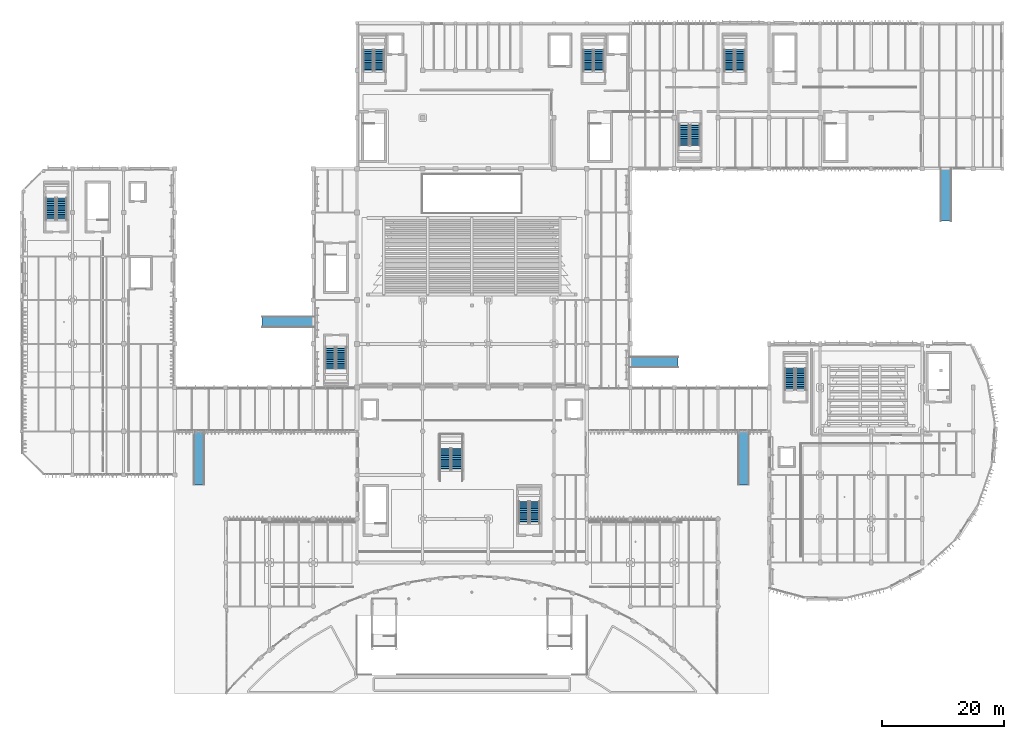
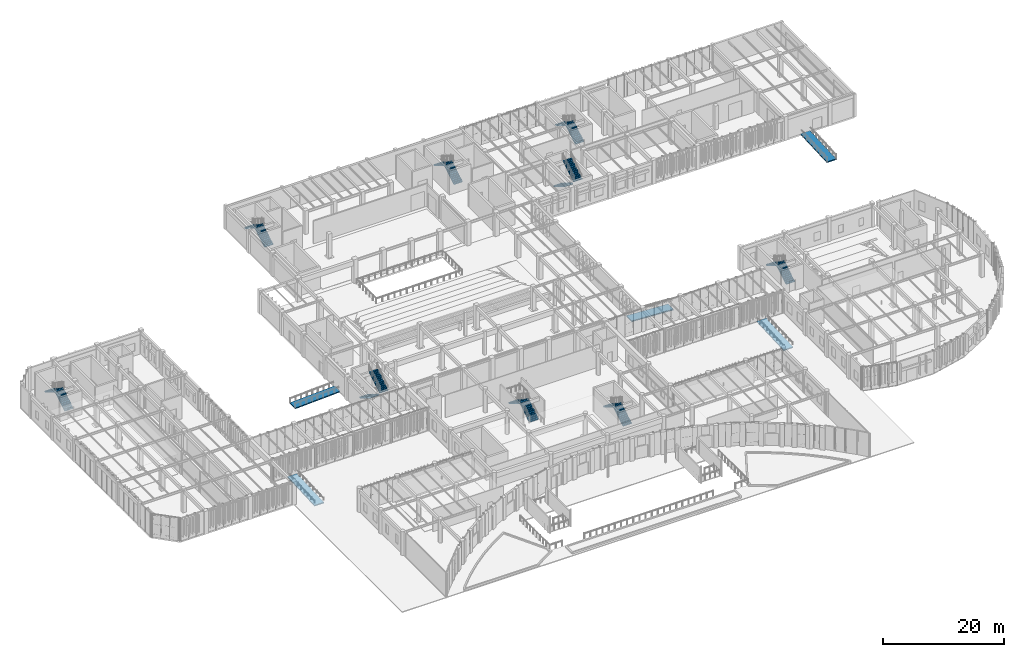
# One storey, part 42 of 122: 18 stair flights, 5 ramp flights, 14 elements without a shape of their own.
"""IFC4 building model written with IfcOpenShell, lengths in metres."""

from ifc_helpers import new_model, si_unit, direction, frame, origin, place, context, subcontext, project, spatial, polyline, outline, extrude, material, layer, layer_set, type_object, element, aggregate, save


model = new_model("IFC4")

# Units and contexts
model_context = context("Model", 3, precision=1e-05, world=origin(), true_north=direction((0.0, 1.0)))
body_context = subcontext(model_context, "Body", "Model", "MODEL_VIEW")
ifc_project = project(units=[si_unit("LENGTHUNIT", "METRE"), si_unit("AREAUNIT", "SQUARE_METRE"), si_unit("VOLUMEUNIT", "CUBIC_METRE"), si_unit("PLANEANGLEUNIT", "RADIAN"), si_unit("MASSUNIT", "GRAM", prefix="KILO")], contexts=[model_context])

# Site, building, storey
site_placement = place(None, origin())
site = spatial("IfcSite", under=ifc_project, at=site_placement, CompositionType="ELEMENT")
building_placement = place(site_placement, origin())
building = spatial("IfcBuilding", under=site, at=building_placement, Name="Tazoul Stagehouse", CompositionType="ELEMENT")
storey_placement = place(building_placement, origin())
storey = spatial("IfcBuildingStorey", under=building, at=storey_placement, Name="L00", CompositionType="ELEMENT", Elevation=0.0)

# Stair, stair flights
ifc_material_1 = material(Name="Concrete C40/50", Category="concrete")
stair_type_1 = type_object("IfcStairType", Name="Protected Core Dogleg Stair 4800", PredefinedType="HALF_TURN_STAIR", material=ifc_material_1)
stair_1_placement = place(storey_placement, origin())
stair_1 = element("IfcStair", 1, at=stair_1_placement, inside=storey, type_object=stair_type_1, Name="L00 Core Escape Stair ST-01", PredefinedType="HALF_TURN_STAIR")
stair_flight_type_1 = type_object("IfcStairFlightType", Name="Core Stair Flight W1650", PredefinedType="STRAIGHT", material=ifc_material_1)
stair_flight_1_placement = place(storey_placement, frame((97.425048828125, 103.800048828125, 0.0), z_axis=(0.0, 0.0, 1.0), x_axis=(0.0, 1.0, 0.0)))
stair_flight_1 = element("IfcStairFlight", 2, at=stair_flight_1_placement, type_object=stair_flight_type_1, Name="ST-01 flight 1", NumberOfRisers=13, NumberOfTreads=12, PredefinedType="STRAIGHT", RiserHeight=0.184615385, TreadLength=0.3, context=body_context, shape_type="SweptSolid", body=[
    extrude(outline(polyline([(0.0, 0.0), (0.0, 0.1845703125), (0.300048828125, 0.1845703125), (0.300048828125, 0.369140625), (0.60009765625, 0.369140625), (0.60009765625, 0.553955078125), (0.89990234375, 0.553955078125), (0.89990234375, 0.738525390625), (1.199951171875, 0.738525390625), (1.199951171875, 0.923095703125), (1.5, 0.923095703125), (1.5, 1.107666015625), (1.800048828125, 1.107666015625), (1.800048828125, 1.292236328125), (2.10009765625, 1.292236328125), (2.10009765625, 1.476806640625), (2.39990234375, 1.476806640625), (2.39990234375, 1.66162109375), (2.699951171875, 1.66162109375), (2.699951171875, 1.84619140625), (3.0, 1.84619140625), (3.0, 2.03076171875), (3.300048828125, 2.03076171875), (3.300048828125, 2.21533203125), (3.60009765625, 2.21533203125), (3.60009765625, 2.39990234375), (3.60009765625, 2.039306640625), (0.2861328125, 0.0), (0.0, 0.0)])), frame((0.0, 0.824951171875, 0.0), z_axis=(0.0, -1.0, 0.0), x_axis=(1.0, 0.0, 0.0)), (0.0, 0.0, 1.0), 1.64990234375),
])
stair_flight_2_placement = place(storey_placement, frame((95.625, 107.39990234375, 2.39990234375), z_axis=(0.0, 0.0, 1.0), x_axis=(0.0, -1.0, 0.0)))
stair_flight_2 = element("IfcStairFlight", 3, at=stair_flight_2_placement, type_object=stair_flight_type_1, Name="ST-01 flight 2", NumberOfRisers=13, NumberOfTreads=12, PredefinedType="STRAIGHT", RiserHeight=0.184615385, TreadLength=0.3, context=body_context, shape_type="SweptSolid", body=[
    extrude(outline(polyline([(0.0, 0.0), (0.0, 0.1845703125), (0.300048828125, 0.1845703125), (0.300048828125, 0.369140625), (0.60009765625, 0.369140625), (0.60009765625, 0.553955078125), (0.89990234375, 0.553955078125), (0.89990234375, 0.738525390625), (1.199951171875, 0.738525390625), (1.199951171875, 0.923095703125), (1.5, 0.923095703125), (1.5, 1.107666015625), (1.800048828125, 1.107666015625), (1.800048828125, 1.292236328125), (2.10009765625, 1.292236328125), (2.10009765625, 1.476806640625), (2.39990234375, 1.476806640625), (2.39990234375, 1.66162109375), (2.699951171875, 1.66162109375), (2.699951171875, 1.84619140625), (3.0, 1.84619140625), (3.0, 2.03076171875), (3.300048828125, 2.03076171875), (3.300048828125, 2.21533203125), (3.60009765625, 2.21533203125), (3.60009765625, 2.39990234375), (3.60009765625, 2.039306640625), (0.2861328125, 0.0), (0.0, 0.0)])), frame((0.0, 0.824951171875, 0.0), z_axis=(0.0, -1.0, 0.0), x_axis=(1.0, 0.0, 0.0)), (0.0, 0.0, 1.0), 1.64990234375),
])
aggregate(stair_1, [stair_flight_1, stair_flight_2])

stair_type_2 = type_object("IfcStairType", Name="Protected Core Dogleg Stair 4200", PredefinedType="HALF_TURN_STAIR", material=ifc_material_1)
stair_2_placement = place(storey_placement, origin())
stair_2 = element("IfcStair", 4, at=stair_2_placement, inside=storey, type_object=stair_type_2, Name="L00 Core Escape Stair ST-02", PredefinedType="HALF_TURN_STAIR")
stair_flight_3_placement = place(storey_placement, frame((120.625, 103.800048828125, 0.0), z_axis=(0.0, 0.0, 1.0), x_axis=(0.0, 1.0, 0.0)))
stair_flight_3 = element("IfcStairFlight", 5, at=stair_flight_3_placement, type_object=stair_flight_type_1, Name="ST-02 flight 1", NumberOfRisers=13, NumberOfTreads=12, PredefinedType="STRAIGHT", RiserHeight=0.184615385, TreadLength=0.3, context=body_context, shape_type="SweptSolid", body=[
    extrude(outline(polyline([(0.0, 0.0), (0.0, 0.1845703125), (0.300048828125, 0.1845703125), (0.300048828125, 0.369140625), (0.60009765625, 0.369140625), (0.60009765625, 0.553955078125), (0.89990234375, 0.553955078125), (0.89990234375, 0.738525390625), (1.199951171875, 0.738525390625), (1.199951171875, 0.923095703125), (1.5, 0.923095703125), (1.5, 1.107666015625), (1.800048828125, 1.107666015625), (1.800048828125, 1.292236328125), (2.10009765625, 1.292236328125), (2.10009765625, 1.476806640625), (2.39990234375, 1.476806640625), (2.39990234375, 1.66162109375), (2.699951171875, 1.66162109375), (2.699951171875, 1.84619140625), (3.0, 1.84619140625), (3.0, 2.03076171875), (3.300048828125, 2.03076171875), (3.300048828125, 2.21533203125), (3.60009765625, 2.21533203125), (3.60009765625, 2.39990234375), (3.60009765625, 2.039306640625), (0.2861328125, 0.0), (0.0, 0.0)])), frame((0.0, 0.824951171875, 0.0), z_axis=(0.0, -1.0, 0.0), x_axis=(1.0, 0.0, 0.0)), (0.0, 0.0, 1.0), 1.64990234375),
])
stair_flight_4_placement = place(storey_placement, frame((118.824951171875, 107.39990234375, 2.39990234375), z_axis=(0.0, 0.0, 1.0), x_axis=(0.0, -1.0, 0.0)))
stair_flight_4 = element("IfcStairFlight", 6, at=stair_flight_4_placement, type_object=stair_flight_type_1, Name="ST-02 flight 2", NumberOfRisers=13, NumberOfTreads=12, PredefinedType="STRAIGHT", RiserHeight=0.184615385, TreadLength=0.3, context=body_context, shape_type="SweptSolid", body=[
    extrude(outline(polyline([(0.0, 0.0), (0.0, 0.1845703125), (0.300048828125, 0.1845703125), (0.300048828125, 0.369140625), (0.60009765625, 0.369140625), (0.60009765625, 0.553955078125), (0.89990234375, 0.553955078125), (0.89990234375, 0.738525390625), (1.199951171875, 0.738525390625), (1.199951171875, 0.923095703125), (1.5, 0.923095703125), (1.5, 1.107666015625), (1.800048828125, 1.107666015625), (1.800048828125, 1.292236328125), (2.10009765625, 1.292236328125), (2.10009765625, 1.476806640625), (2.39990234375, 1.476806640625), (2.39990234375, 1.66162109375), (2.699951171875, 1.66162109375), (2.699951171875, 1.84619140625), (3.0, 1.84619140625), (3.0, 2.03076171875), (3.300048828125, 2.03076171875), (3.300048828125, 2.21533203125), (3.60009765625, 2.21533203125), (3.60009765625, 2.39990234375), (3.60009765625, 2.039306640625), (0.2861328125, 0.0), (0.0, 0.0)])), frame((0.0, 0.824951171875, 0.0), z_axis=(0.0, -1.0, 0.0), x_axis=(1.0, 0.0, 0.0)), (0.0, 0.0, 1.0), 1.64990234375),
])
aggregate(stair_2, [stair_flight_3, stair_flight_4])

stair_type_3 = type_object("IfcStairType", Name="Protected Core Dogleg Stair 3900", PredefinedType="HALF_TURN_STAIR", material=ifc_material_1)
stair_3_placement = place(storey_placement, origin())
stair_3 = element("IfcStair", 7, at=stair_3_placement, inside=storey, type_object=stair_type_3, Name="L00 Core Escape Stair ST-03", PredefinedType="HALF_TURN_STAIR")
stair_flight_5_placement = place(storey_placement, frame((61.27490234375, 103.800048828125, 0.0), z_axis=(0.0, 0.0, 1.0), x_axis=(0.0, 1.0, 0.0)))
stair_flight_5 = element("IfcStairFlight", 8, at=stair_flight_5_placement, type_object=stair_flight_type_1, Name="ST-03 flight 1", NumberOfRisers=13, NumberOfTreads=12, PredefinedType="STRAIGHT", RiserHeight=0.184615385, TreadLength=0.3, context=body_context, shape_type="SweptSolid", body=[
    extrude(outline(polyline([(0.0, 0.0), (0.0, 0.1845703125), (0.300048828125, 0.1845703125), (0.300048828125, 0.369140625), (0.60009765625, 0.369140625), (0.60009765625, 0.553955078125), (0.89990234375, 0.553955078125), (0.89990234375, 0.738525390625), (1.199951171875, 0.738525390625), (1.199951171875, 0.923095703125), (1.5, 0.923095703125), (1.5, 1.107666015625), (1.800048828125, 1.107666015625), (1.800048828125, 1.292236328125), (2.10009765625, 1.292236328125), (2.10009765625, 1.476806640625), (2.39990234375, 1.476806640625), (2.39990234375, 1.66162109375), (2.699951171875, 1.66162109375), (2.699951171875, 1.84619140625), (3.0, 1.84619140625), (3.0, 2.03076171875), (3.300048828125, 2.03076171875), (3.300048828125, 2.21533203125), (3.60009765625, 2.21533203125), (3.60009765625, 2.39990234375), (3.60009765625, 2.039306640625), (0.2861328125, 0.0), (0.0, 0.0)])), frame((0.0, 0.824951171875, 0.0), z_axis=(0.0, -1.0, 0.0), x_axis=(1.0, 0.0, 0.0)), (0.0, 0.0, 1.0), 1.64990234375),
])
stair_flight_6_placement = place(storey_placement, frame((59.47509765625, 107.39990234375, 2.39990234375), z_axis=(0.0, 0.0, 1.0), x_axis=(0.0, -1.0, 0.0)))
stair_flight_6 = element("IfcStairFlight", 9, at=stair_flight_6_placement, type_object=stair_flight_type_1, Name="ST-03 flight 2", NumberOfRisers=13, NumberOfTreads=12, PredefinedType="STRAIGHT", RiserHeight=0.184615385, TreadLength=0.3, context=body_context, shape_type="SweptSolid", body=[
    extrude(outline(polyline([(0.0, 0.0), (0.0, 0.1845703125), (0.300048828125, 0.1845703125), (0.300048828125, 0.369140625), (0.60009765625, 0.369140625), (0.60009765625, 0.553955078125), (0.89990234375, 0.553955078125), (0.89990234375, 0.738525390625), (1.199951171875, 0.738525390625), (1.199951171875, 0.923095703125), (1.5, 0.923095703125), (1.5, 1.107666015625), (1.800048828125, 1.107666015625), (1.800048828125, 1.292236328125), (2.10009765625, 1.292236328125), (2.10009765625, 1.476806640625), (2.39990234375, 1.476806640625), (2.39990234375, 1.66162109375), (2.699951171875, 1.66162109375), (2.699951171875, 1.84619140625), (3.0, 1.84619140625), (3.0, 2.03076171875), (3.300048828125, 2.03076171875), (3.300048828125, 2.21533203125), (3.60009765625, 2.21533203125), (3.60009765625, 2.39990234375), (3.60009765625, 2.039306640625), (0.2861328125, 0.0), (0.0, 0.0)])), frame((0.0, 0.824951171875, 0.0), z_axis=(0.0, -1.0, 0.0), x_axis=(1.0, 0.0, 0.0)), (0.0, 0.0, 1.0), 1.64990234375),
])
aggregate(stair_3, [stair_flight_5, stair_flight_6])

stair_4_placement = place(storey_placement, origin())
stair_4 = element("IfcStair", 10, at=stair_4_placement, inside=storey, type_object=stair_type_1, Name="L00 Core Escape Stair ST-04", PredefinedType="HALF_TURN_STAIR")
stair_flight_7_placement = place(storey_placement, frame((111.425048828125, 95.199951171875, 0.0), z_axis=(0.0, 0.0, 1.0), x_axis=(0.0, -1.0, 0.0)))
stair_flight_7 = element("IfcStairFlight", 11, at=stair_flight_7_placement, type_object=stair_flight_type_1, Name="ST-04 flight 1", NumberOfRisers=13, NumberOfTreads=12, PredefinedType="STRAIGHT", RiserHeight=0.184615385, TreadLength=0.3, context=body_context, shape_type="SweptSolid", body=[
    extrude(outline(polyline([(0.0, 0.0), (0.0, 0.1845703125), (0.300048828125, 0.1845703125), (0.300048828125, 0.369140625), (0.60009765625, 0.369140625), (0.60009765625, 0.553955078125), (0.89990234375, 0.553955078125), (0.89990234375, 0.738525390625), (1.199951171875, 0.738525390625), (1.199951171875, 0.923095703125), (1.5, 0.923095703125), (1.5, 1.107666015625), (1.800048828125, 1.107666015625), (1.800048828125, 1.292236328125), (2.10009765625, 1.292236328125), (2.10009765625, 1.476806640625), (2.39990234375, 1.476806640625), (2.39990234375, 1.66162109375), (2.699951171875, 1.66162109375), (2.699951171875, 1.84619140625), (3.0, 1.84619140625), (3.0, 2.03076171875), (3.300048828125, 2.03076171875), (3.300048828125, 2.21533203125), (3.60009765625, 2.21533203125), (3.60009765625, 2.39990234375), (3.60009765625, 2.039306640625), (0.2861328125, 0.0), (0.0, 0.0)])), frame((0.0, 0.824951171875, 0.0), z_axis=(0.0, -1.0, 0.0), x_axis=(1.0, 0.0, 0.0)), (0.0, 0.0, 1.0), 1.64990234375),
])
stair_flight_8_placement = place(storey_placement, frame((113.22509765625, 91.60009765625, 2.39990234375), z_axis=(0.0, 0.0, 1.0), x_axis=(0.0, 1.0, 0.0)))
stair_flight_8 = element("IfcStairFlight", 12, at=stair_flight_8_placement, type_object=stair_flight_type_1, Name="ST-04 flight 2", NumberOfRisers=13, NumberOfTreads=12, PredefinedType="STRAIGHT", RiserHeight=0.184615385, TreadLength=0.3, context=body_context, shape_type="SweptSolid", body=[
    extrude(outline(polyline([(0.0, 0.0), (0.0, 0.1845703125), (0.300048828125, 0.1845703125), (0.300048828125, 0.369140625), (0.60009765625, 0.369140625), (0.60009765625, 0.553955078125), (0.89990234375, 0.553955078125), (0.89990234375, 0.738525390625), (1.199951171875, 0.738525390625), (1.199951171875, 0.923095703125), (1.5, 0.923095703125), (1.5, 1.107666015625), (1.800048828125, 1.107666015625), (1.800048828125, 1.292236328125), (2.10009765625, 1.292236328125), (2.10009765625, 1.476806640625), (2.39990234375, 1.476806640625), (2.39990234375, 1.66162109375), (2.699951171875, 1.66162109375), (2.699951171875, 1.84619140625), (3.0, 1.84619140625), (3.0, 2.03076171875), (3.300048828125, 2.03076171875), (3.300048828125, 2.21533203125), (3.60009765625, 2.21533203125), (3.60009765625, 2.39990234375), (3.60009765625, 2.039306640625), (0.2861328125, 0.0), (0.0, 0.0)])), frame((0.0, 0.824951171875, 0.0), z_axis=(0.0, -1.0, 0.0), x_axis=(1.0, 0.0, 0.0)), (0.0, 0.0, 1.0), 1.64990234375),
])
aggregate(stair_4, [stair_flight_7, stair_flight_8])

stair_5_placement = place(storey_placement, origin())
stair_5 = element("IfcStair", 13, at=stair_5_placement, inside=storey, type_object=stair_type_2, Name="L00 Core Escape Stair ST-05", PredefinedType="HALF_TURN_STAIR")
stair_flight_9_placement = place(storey_placement, frame((53.22509765625, 58.489990234375, 0.0), z_axis=(0.0, 0.0, 1.0), x_axis=(0.0, -1.0, 0.0)))
stair_flight_9 = element("IfcStairFlight", 14, at=stair_flight_9_placement, type_object=stair_flight_type_1, Name="ST-05 flight 1", NumberOfRisers=13, NumberOfTreads=12, PredefinedType="STRAIGHT", RiserHeight=0.184615385, TreadLength=0.3, context=body_context, shape_type="SweptSolid", body=[
    extrude(outline(polyline([(0.0, 0.0), (0.0, 0.1845703125), (0.300048828125, 0.1845703125), (0.300048828125, 0.369140625), (0.60009765625, 0.369140625), (0.60009765625, 0.553955078125), (0.89990234375, 0.553955078125), (0.89990234375, 0.738525390625), (1.199951171875, 0.738525390625), (1.199951171875, 0.923095703125), (1.5, 0.923095703125), (1.5, 1.107666015625), (1.800048828125, 1.107666015625), (1.800048828125, 1.292236328125), (2.10009765625, 1.292236328125), (2.10009765625, 1.476806640625), (2.39990234375, 1.476806640625), (2.39990234375, 1.66162109375), (2.699951171875, 1.66162109375), (2.699951171875, 1.84619140625), (3.0, 1.84619140625), (3.0, 2.03076171875), (3.300048828125, 2.03076171875), (3.300048828125, 2.21533203125), (3.60009765625, 2.21533203125), (3.60009765625, 2.39990234375), (3.60009765625, 2.039306640625), (0.2861328125, 0.0), (0.0, 0.0)])), frame((0.0, 0.824951171875, 0.0), z_axis=(0.0, -1.0, 0.0), x_axis=(1.0, 0.0, 0.0)), (0.0, 0.0, 1.0), 1.64990234375),
])
stair_flight_10_placement = place(storey_placement, frame((55.02490234375, 54.889892578125, 2.39990234375), z_axis=(0.0, 0.0, 1.0), x_axis=(0.0, 1.0, 0.0)))
stair_flight_10 = element("IfcStairFlight", 15, at=stair_flight_10_placement, type_object=stair_flight_type_1, Name="ST-05 flight 2", NumberOfRisers=13, NumberOfTreads=12, PredefinedType="STRAIGHT", RiserHeight=0.184615385, TreadLength=0.3, context=body_context, shape_type="SweptSolid", body=[
    extrude(outline(polyline([(0.0, 0.0), (0.0, 0.1845703125), (0.300048828125, 0.1845703125), (0.300048828125, 0.369140625), (0.60009765625, 0.369140625), (0.60009765625, 0.553955078125), (0.89990234375, 0.553955078125), (0.89990234375, 0.738525390625), (1.199951171875, 0.738525390625), (1.199951171875, 0.923095703125), (1.5, 0.923095703125), (1.5, 1.107666015625), (1.800048828125, 1.107666015625), (1.800048828125, 1.292236328125), (2.10009765625, 1.292236328125), (2.10009765625, 1.476806640625), (2.39990234375, 1.476806640625), (2.39990234375, 1.66162109375), (2.699951171875, 1.66162109375), (2.699951171875, 1.84619140625), (3.0, 1.84619140625), (3.0, 2.03076171875), (3.300048828125, 2.03076171875), (3.300048828125, 2.21533203125), (3.60009765625, 2.21533203125), (3.60009765625, 2.39990234375), (3.60009765625, 2.039306640625), (0.2861328125, 0.0), (0.0, 0.0)])), frame((0.0, 0.824951171875, 0.0), z_axis=(0.0, -1.0, 0.0), x_axis=(1.0, 0.0, 0.0)), (0.0, 0.0, 1.0), 1.64990234375),
])
aggregate(stair_5, [stair_flight_9, stair_flight_10])

stair_6_placement = place(storey_placement, origin())
stair_6 = element("IfcStair", 16, at=stair_6_placement, inside=storey, type_object=stair_type_3, Name="L00 Core Escape Stair ST-06", PredefinedType="HALF_TURN_STAIR")
stair_flight_11_placement = place(storey_placement, frame((9.02490234375, 79.39990234375, 0.0), z_axis=(0.0, 0.0, 1.0), x_axis=(0.0, 1.0, 0.0)))
stair_flight_11 = element("IfcStairFlight", 17, at=stair_flight_11_placement, type_object=stair_flight_type_1, Name="ST-06 flight 1", NumberOfRisers=13, NumberOfTreads=12, PredefinedType="STRAIGHT", RiserHeight=0.184615385, TreadLength=0.3, context=body_context, shape_type="SweptSolid", body=[
    extrude(outline(polyline([(0.0, 0.0), (0.0, 0.1845703125), (0.300048828125, 0.1845703125), (0.300048828125, 0.369140625), (0.60009765625, 0.369140625), (0.60009765625, 0.553955078125), (0.89990234375, 0.553955078125), (0.89990234375, 0.738525390625), (1.199951171875, 0.738525390625), (1.199951171875, 0.923095703125), (1.5, 0.923095703125), (1.5, 1.107666015625), (1.800048828125, 1.107666015625), (1.800048828125, 1.292236328125), (2.10009765625, 1.292236328125), (2.10009765625, 1.476806640625), (2.39990234375, 1.476806640625), (2.39990234375, 1.66162109375), (2.699951171875, 1.66162109375), (2.699951171875, 1.84619140625), (3.0, 1.84619140625), (3.0, 2.03076171875), (3.300048828125, 2.03076171875), (3.300048828125, 2.21533203125), (3.60009765625, 2.21533203125), (3.60009765625, 2.39990234375), (3.60009765625, 2.039306640625), (0.2861328125, 0.0), (0.0, 0.0)])), frame((0.0, 0.824951171875, 0.0), z_axis=(0.0, -1.0, 0.0), x_axis=(1.0, 0.0, 0.0)), (0.0, 0.0, 1.0), 1.64990234375),
])
stair_flight_12_placement = place(storey_placement, frame((7.22509765625, 83.0, 2.39990234375), z_axis=(0.0, 0.0, 1.0), x_axis=(0.0, -1.0, 0.0)))
stair_flight_12 = element("IfcStairFlight", 18, at=stair_flight_12_placement, type_object=stair_flight_type_1, Name="ST-06 flight 2", NumberOfRisers=13, NumberOfTreads=12, PredefinedType="STRAIGHT", RiserHeight=0.184615385, TreadLength=0.3, context=body_context, shape_type="SweptSolid", body=[
    extrude(outline(polyline([(0.0, 0.0), (0.0, 0.1845703125), (0.300048828125, 0.1845703125), (0.300048828125, 0.369140625), (0.60009765625, 0.369140625), (0.60009765625, 0.553955078125), (0.89990234375, 0.553955078125), (0.89990234375, 0.738525390625), (1.199951171875, 0.738525390625), (1.199951171875, 0.923095703125), (1.5, 0.923095703125), (1.5, 1.107666015625), (1.800048828125, 1.107666015625), (1.800048828125, 1.292236328125), (2.10009765625, 1.292236328125), (2.10009765625, 1.476806640625), (2.39990234375, 1.476806640625), (2.39990234375, 1.66162109375), (2.699951171875, 1.66162109375), (2.699951171875, 1.84619140625), (3.0, 1.84619140625), (3.0, 2.03076171875), (3.300048828125, 2.03076171875), (3.300048828125, 2.21533203125), (3.60009765625, 2.21533203125), (3.60009765625, 2.39990234375), (3.60009765625, 2.039306640625), (0.2861328125, 0.0), (0.0, 0.0)])), frame((0.0, 0.824951171875, 0.0), z_axis=(0.0, -1.0, 0.0), x_axis=(1.0, 0.0, 0.0)), (0.0, 0.0, 1.0), 1.64990234375),
])
aggregate(stair_6, [stair_flight_11, stair_flight_12])

stair_7_placement = place(storey_placement, origin())
stair_7 = element("IfcStair", 19, at=stair_7_placement, inside=storey, type_object=stair_type_1, Name="L00 Core Escape Stair ST-07", PredefinedType="HALF_TURN_STAIR")
stair_flight_13_placement = place(storey_placement, frame((130.625, 51.39990234375, 0.0), z_axis=(0.0, 0.0, 1.0), x_axis=(0.0, 1.0, 0.0)))
stair_flight_13 = element("IfcStairFlight", 20, at=stair_flight_13_placement, type_object=stair_flight_type_1, Name="ST-07 flight 1", NumberOfRisers=13, NumberOfTreads=12, PredefinedType="STRAIGHT", RiserHeight=0.184615385, TreadLength=0.3, context=body_context, shape_type="SweptSolid", body=[
    extrude(outline(polyline([(0.0, 0.0), (0.0, 0.1845703125), (0.300048828125, 0.1845703125), (0.300048828125, 0.369140625), (0.60009765625, 0.369140625), (0.60009765625, 0.553955078125), (0.89990234375, 0.553955078125), (0.89990234375, 0.738525390625), (1.199951171875, 0.738525390625), (1.199951171875, 0.923095703125), (1.5, 0.923095703125), (1.5, 1.107666015625), (1.800048828125, 1.107666015625), (1.800048828125, 1.292236328125), (2.10009765625, 1.292236328125), (2.10009765625, 1.476806640625), (2.39990234375, 1.476806640625), (2.39990234375, 1.66162109375), (2.699951171875, 1.66162109375), (2.699951171875, 1.84619140625), (3.0, 1.84619140625), (3.0, 2.03076171875), (3.300048828125, 2.03076171875), (3.300048828125, 2.21533203125), (3.60009765625, 2.21533203125), (3.60009765625, 2.39990234375), (3.60009765625, 2.039306640625), (0.2861328125, 0.0), (0.0, 0.0)])), frame((0.0, 0.824951171875, 0.0), z_axis=(0.0, -1.0, 0.0), x_axis=(1.0, 0.0, 0.0)), (0.0, 0.0, 1.0), 1.64990234375),
])
stair_flight_14_placement = place(storey_placement, frame((128.824951171875, 55.0, 2.39990234375), z_axis=(0.0, 0.0, 1.0), x_axis=(0.0, -1.0, 0.0)))
stair_flight_14 = element("IfcStairFlight", 21, at=stair_flight_14_placement, type_object=stair_flight_type_1, Name="ST-07 flight 2", NumberOfRisers=13, NumberOfTreads=12, PredefinedType="STRAIGHT", RiserHeight=0.184615385, TreadLength=0.3, context=body_context, shape_type="SweptSolid", body=[
    extrude(outline(polyline([(0.0, 0.0), (0.0, 0.1845703125), (0.300048828125, 0.1845703125), (0.300048828125, 0.369140625), (0.60009765625, 0.369140625), (0.60009765625, 0.553955078125), (0.89990234375, 0.553955078125), (0.89990234375, 0.738525390625), (1.199951171875, 0.738525390625), (1.199951171875, 0.923095703125), (1.5, 0.923095703125), (1.5, 1.107666015625), (1.800048828125, 1.107666015625), (1.800048828125, 1.292236328125), (2.10009765625, 1.292236328125), (2.10009765625, 1.476806640625), (2.39990234375, 1.476806640625), (2.39990234375, 1.66162109375), (2.699951171875, 1.66162109375), (2.699951171875, 1.84619140625), (3.0, 1.84619140625), (3.0, 2.03076171875), (3.300048828125, 2.03076171875), (3.300048828125, 2.21533203125), (3.60009765625, 2.21533203125), (3.60009765625, 2.39990234375), (3.60009765625, 2.039306640625), (0.2861328125, 0.0), (0.0, 0.0)])), frame((0.0, 0.824951171875, 0.0), z_axis=(0.0, -1.0, 0.0), x_axis=(1.0, 0.0, 0.0)), (0.0, 0.0, 1.0), 1.64990234375),
])
aggregate(stair_7, [stair_flight_13, stair_flight_14])

stair_8_placement = place(storey_placement, origin())
stair_8 = element("IfcStair", 22, at=stair_8_placement, inside=storey, type_object=stair_type_2, Name="L00 Core Escape Stair ST-08", PredefinedType="HALF_TURN_STAIR")
stair_flight_15_placement = place(storey_placement, frame((86.824951171875, 29.47998046875, 0.0), z_axis=(0.0, 0.0, 1.0), x_axis=(0.0, 1.0, 0.0)))
stair_flight_15 = element("IfcStairFlight", 23, at=stair_flight_15_placement, type_object=stair_flight_type_1, Name="ST-08 flight 1", NumberOfRisers=13, NumberOfTreads=12, PredefinedType="STRAIGHT", RiserHeight=0.184615385, TreadLength=0.3, context=body_context, shape_type="SweptSolid", body=[
    extrude(outline(polyline([(0.0, 0.0), (0.0, 0.1845703125), (0.300048828125, 0.1845703125), (0.300048828125, 0.369140625), (0.60009765625, 0.369140625), (0.60009765625, 0.553955078125), (0.89990234375, 0.553955078125), (0.89990234375, 0.738525390625), (1.199951171875, 0.738525390625), (1.199951171875, 0.923095703125), (1.5, 0.923095703125), (1.5, 1.107666015625), (1.800048828125, 1.107666015625), (1.800048828125, 1.292236328125), (2.10009765625, 1.292236328125), (2.10009765625, 1.476806640625), (2.39990234375, 1.476806640625), (2.39990234375, 1.66162109375), (2.699951171875, 1.66162109375), (2.699951171875, 1.84619140625), (3.0, 1.84619140625), (3.0, 2.03076171875), (3.300048828125, 2.03076171875), (3.300048828125, 2.21533203125), (3.60009765625, 2.21533203125), (3.60009765625, 2.39990234375), (3.60009765625, 2.039306640625), (0.2861328125, 0.0), (0.0, 0.0)])), frame((0.0, 0.824951171875, 0.0), z_axis=(0.0, -1.0, 0.0), x_axis=(1.0, 0.0, 0.0)), (0.0, 0.0, 1.0), 1.64990234375),
])
stair_flight_16_placement = place(storey_placement, frame((85.02490234375, 33.080078125, 2.39990234375), z_axis=(0.0, 0.0, 1.0), x_axis=(0.0, -1.0, 0.0)))
stair_flight_16 = element("IfcStairFlight", 24, at=stair_flight_16_placement, type_object=stair_flight_type_1, Name="ST-08 flight 2", NumberOfRisers=13, NumberOfTreads=12, PredefinedType="STRAIGHT", RiserHeight=0.184615385, TreadLength=0.3, context=body_context, shape_type="SweptSolid", body=[
    extrude(outline(polyline([(0.0, 0.0), (0.0, 0.1845703125), (0.300048828125, 0.1845703125), (0.300048828125, 0.369140625), (0.60009765625, 0.369140625), (0.60009765625, 0.553955078125), (0.89990234375, 0.553955078125), (0.89990234375, 0.738525390625), (1.199951171875, 0.738525390625), (1.199951171875, 0.923095703125), (1.5, 0.923095703125), (1.5, 1.107666015625), (1.800048828125, 1.107666015625), (1.800048828125, 1.292236328125), (2.10009765625, 1.292236328125), (2.10009765625, 1.476806640625), (2.39990234375, 1.476806640625), (2.39990234375, 1.66162109375), (2.699951171875, 1.66162109375), (2.699951171875, 1.84619140625), (3.0, 1.84619140625), (3.0, 2.03076171875), (3.300048828125, 2.03076171875), (3.300048828125, 2.21533203125), (3.60009765625, 2.21533203125), (3.60009765625, 2.39990234375), (3.60009765625, 2.039306640625), (0.2861328125, 0.0), (0.0, 0.0)])), frame((0.0, 0.824951171875, 0.0), z_axis=(0.0, -1.0, 0.0), x_axis=(1.0, 0.0, 0.0)), (0.0, 0.0, 1.0), 1.64990234375),
])
aggregate(stair_8, [stair_flight_15, stair_flight_16])

stair_type_4 = type_object("IfcStairType", Name="Grand Foyer Ceremonial Straight Stair", PredefinedType="HALF_TURN_STAIR", material=ifc_material_1)
stair_9_placement = place(storey_placement, origin())
stair_9 = element("IfcStair", 25, at=stair_9_placement, inside=storey, type_object=stair_type_4, Name="L00 Civic Feature Stair ST-ATR-01", PredefinedType="HALF_TURN_STAIR")
stair_flight_type_2 = type_object("IfcStairFlightType", Name="Grand Foyer Stair Flight W1800", PredefinedType="STRAIGHT", material=ifc_material_1)
stair_flight_17_placement = place(storey_placement, frame((74.050048828125, 38.199951171875, 0.0), z_axis=(0.0, 0.0, 1.0), x_axis=(0.0, 1.0, 0.0)))
stair_flight_17 = element("IfcStairFlight", 26, at=stair_flight_17_placement, type_object=stair_flight_type_2, Name="ST-ATR-01 flight 1", NumberOfRisers=13, NumberOfTreads=12, PredefinedType="STRAIGHT", RiserHeight=0.184615385, TreadLength=0.3, context=body_context, shape_type="SweptSolid", body=[
    extrude(outline(polyline([(0.0, 0.0), (0.0, 0.1845703125), (0.300048828125, 0.1845703125), (0.300048828125, 0.369140625), (0.60009765625, 0.369140625), (0.60009765625, 0.553955078125), (0.89990234375, 0.553955078125), (0.89990234375, 0.738525390625), (1.199951171875, 0.738525390625), (1.199951171875, 0.923095703125), (1.5, 0.923095703125), (1.5, 1.107666015625), (1.800048828125, 1.107666015625), (1.800048828125, 1.292236328125), (2.10009765625, 1.292236328125), (2.10009765625, 1.476806640625), (2.39990234375, 1.476806640625), (2.39990234375, 1.66162109375), (2.699951171875, 1.66162109375), (2.699951171875, 1.84619140625), (3.0, 1.84619140625), (3.0, 2.03076171875), (3.300048828125, 2.03076171875), (3.300048828125, 2.21533203125), (3.60009765625, 2.21533203125), (3.60009765625, 2.39990234375), (3.60009765625, 2.039306640625), (0.2861328125, 0.0), (0.0, 0.0)])), frame((0.0, 0.89990234375, 0.0), z_axis=(0.0, -1.0, 0.0), x_axis=(1.0, 0.0, 0.0)), (0.0, 0.0, 1.0), 1.800048828125),
])
stair_flight_18_placement = place(storey_placement, frame((72.10009765625, 41.800048828125, 2.39990234375), z_axis=(0.0, 0.0, 1.0), x_axis=(0.0, -1.0, 0.0)))
stair_flight_18 = element("IfcStairFlight", 27, at=stair_flight_18_placement, type_object=stair_flight_type_2, Name="ST-ATR-01 flight 2", NumberOfRisers=13, NumberOfTreads=12, PredefinedType="STRAIGHT", RiserHeight=0.184615385, TreadLength=0.3, context=body_context, shape_type="SweptSolid", body=[
    extrude(outline(polyline([(0.0, 0.0), (0.0, 0.1845703125), (0.300048828125, 0.1845703125), (0.300048828125, 0.369140625), (0.60009765625, 0.369140625), (0.60009765625, 0.553955078125), (0.89990234375, 0.553955078125), (0.89990234375, 0.738525390625), (1.199951171875, 0.738525390625), (1.199951171875, 0.923095703125), (1.5, 0.923095703125), (1.5, 1.107666015625), (1.800048828125, 1.107666015625), (1.800048828125, 1.292236328125), (2.10009765625, 1.292236328125), (2.10009765625, 1.476806640625), (2.39990234375, 1.476806640625), (2.39990234375, 1.66162109375), (2.699951171875, 1.66162109375), (2.699951171875, 1.84619140625), (3.0, 1.84619140625), (3.0, 2.03076171875), (3.300048828125, 2.03076171875), (3.300048828125, 2.21533203125), (3.60009765625, 2.21533203125), (3.60009765625, 2.39990234375), (3.60009765625, 2.039306640625), (0.2861328125, 0.0), (0.0, 0.0)])), frame((0.0, 0.89990234375, 0.0), z_axis=(0.0, -1.0, 0.0), x_axis=(1.0, 0.0, 0.0)), (0.0, 0.0, 1.0), 1.800048828125),
])
aggregate(stair_9, [stair_flight_17, stair_flight_18])

# Ramp, ramp flight
ifc_material_2 = material(Name="Concrete C35/45", Category="concrete")
ramp_type = type_object("IfcRampType", Name="Step-Free Accessible Ramp 1:12", PredefinedType="STRAIGHT_RUN_RAMP", material=ifc_material_2)
ramp_1_placement = place(storey_placement, origin())
ramp_1 = element("IfcRamp", 28, at=ramp_1_placement, inside=storey, type_object=ramp_type, Name="West Plaza Accessible Entrance Ramp", PredefinedType="STRAIGHT_RUN_RAMP")
ifc_layer = layer(ifc_material_2, 0.199951171875, Name="Concrete C35/45")
ifc_layer_set = layer_set([ifc_layer], Name="Concrete C35/45")
ramp_flight_type = type_object("IfcRampFlightType", Name="Accessible Ramp Flight W1800", PredefinedType="STRAIGHT", material=ifc_layer_set)
ramp_flight_1_placement = place(storey_placement, frame((32.5, 35.800048828125, -0.419921875), z_axis=(0.0, -0.046867343091, 0.99890112231), x_axis=(-1.0, 0.0, 0.0)))
ramp_flight_1 = element("IfcRampFlight", 29, at=ramp_flight_1_placement, type_object=ramp_flight_type, Name="West Plaza Accessible Entrance Ramp Flight", PredefinedType="STRAIGHT", context=body_context, shape_type="SweptSolid", body=[
    extrude(outline(polyline([(0.0, 0.0), (1.800048828125, 0.0), (1.800048828125, -8.959796892790047), (0.0, -8.959796892790047), (0.0, 0.0)])), origin(), (0.0, 0.0, -1.0), 0.199951171875),
])
aggregate(ramp_1, [ramp_flight_1])

ramp_2_placement = place(storey_placement, origin())
ramp_2 = element("IfcRamp", 30, at=ramp_2_placement, inside=storey, type_object=ramp_type, Name="East Plaza Accessible Entrance Ramp", PredefinedType="STRAIGHT_RUN_RAMP")
ramp_flight_2_placement = place(storey_placement, frame((122.10009765625, 35.800048828125, -0.419921875), z_axis=(0.0, -0.046867343091, 0.99890112231), x_axis=(-1.0, 0.0, 0.0)))
ramp_flight_2 = element("IfcRampFlight", 31, at=ramp_flight_2_placement, type_object=ramp_flight_type, Name="East Plaza Accessible Entrance Ramp Flight", PredefinedType="STRAIGHT", context=body_context, shape_type="SweptSolid", body=[
    extrude(outline(polyline([(0.0, 0.0), (1.800048828125, 0.0), (1.800048828125, -8.959796892790047), (0.0, -8.959796892790047), (0.0, 0.0)])), origin(), (0.0, 0.0, -1.0), 0.199951171875),
])
aggregate(ramp_2, [ramp_flight_2])

ramp_3_placement = place(storey_placement, origin())
ramp_3 = element("IfcRamp", 32, at=ramp_3_placement, inside=storey, type_object=ramp_type, Name="Backstage Courtyard Step-Free Stage Ramp", PredefinedType="STRAIGHT_RUN_RAMP")
ramp_flight_3_placement = place(storey_placement, frame((155.39990234375, 79.199951171875, -0.419921875), z_axis=(0.0, -0.04793590156, 0.998850413897), x_axis=(-1.0, 0.0, 0.0)))
ramp_flight_3 = element("IfcRampFlight", 33, at=ramp_flight_3_placement, type_object=ramp_flight_type, Name="Backstage Courtyard Step-Free Stage Ramp Flight", PredefinedType="STRAIGHT", context=body_context, shape_type="SweptSolid", body=[
    extrude(outline(polyline([(0.0, 0.0), (1.7998046875, 0.0), (1.7998046875, -8.760070455259108), (0.0, -8.760070455259108), (0.0, 0.0)])), origin(), (0.0, 0.0, -1.0), 0.199951171875),
])
aggregate(ramp_3, [ramp_flight_3])

ramp_4_placement = place(storey_placement, origin())
ramp_4 = element("IfcRamp", 34, at=ramp_4_placement, inside=storey, type_object=ramp_type, Name="West Court Auditorium Accessible Ramp", PredefinedType="STRAIGHT_RUN_RAMP")
ramp_flight_4_placement = place(storey_placement, frame((42.0, 61.699951171875, -0.419921875), z_axis=(-0.049054262237, 0.0, 0.998796115009), x_axis=(0.0, 1.0, 0.0)))
ramp_flight_4 = element("IfcRampFlight", 35, at=ramp_flight_4_placement, type_object=ramp_flight_type, Name="West Court Auditorium Accessible Ramp Flight", PredefinedType="STRAIGHT", context=body_context, shape_type="SweptSolid", body=[
    extrude(outline(polyline([(0.0, 0.0), (1.800048828125, 0.0), (1.800048828125, -8.560354510440861), (0.0, -8.560354510440861), (0.0, 0.0)])), origin(), (0.0, 0.0, -1.0), 0.199951171875),
])
aggregate(ramp_4, [ramp_flight_4])

ramp_5_placement = place(storey_placement, origin())
ramp_5 = element("IfcRamp", 36, at=ramp_5_placement, inside=storey, type_object=ramp_type, Name="East Court Auditorium Accessible Ramp", PredefinedType="STRAIGHT_RUN_RAMP")
ramp_flight_5_placement = place(storey_placement, frame((110.39990234375, 56.89990234375, -0.419921875), z_axis=(0.052747154371, 0.0, 0.998607899881), x_axis=(0.0, -1.0, 0.0)))
ramp_flight_5 = element("IfcRampFlight", 37, at=ramp_flight_5_placement, type_object=ramp_flight_type, Name="East Court Auditorium Accessible Ramp Flight", PredefinedType="STRAIGHT", context=body_context, shape_type="SweptSolid", body=[
    extrude(outline(polyline([(0.0, 0.0), (1.7998046875, 0.0), (1.7998046875, -7.961033727871036), (0.0, -7.961033727871036), (0.0, 0.0)])), origin(), (0.0, 0.0, -1.0), 0.199951171875),
])
aggregate(ramp_5, [ramp_flight_5])

save(model, "model.ifc")
